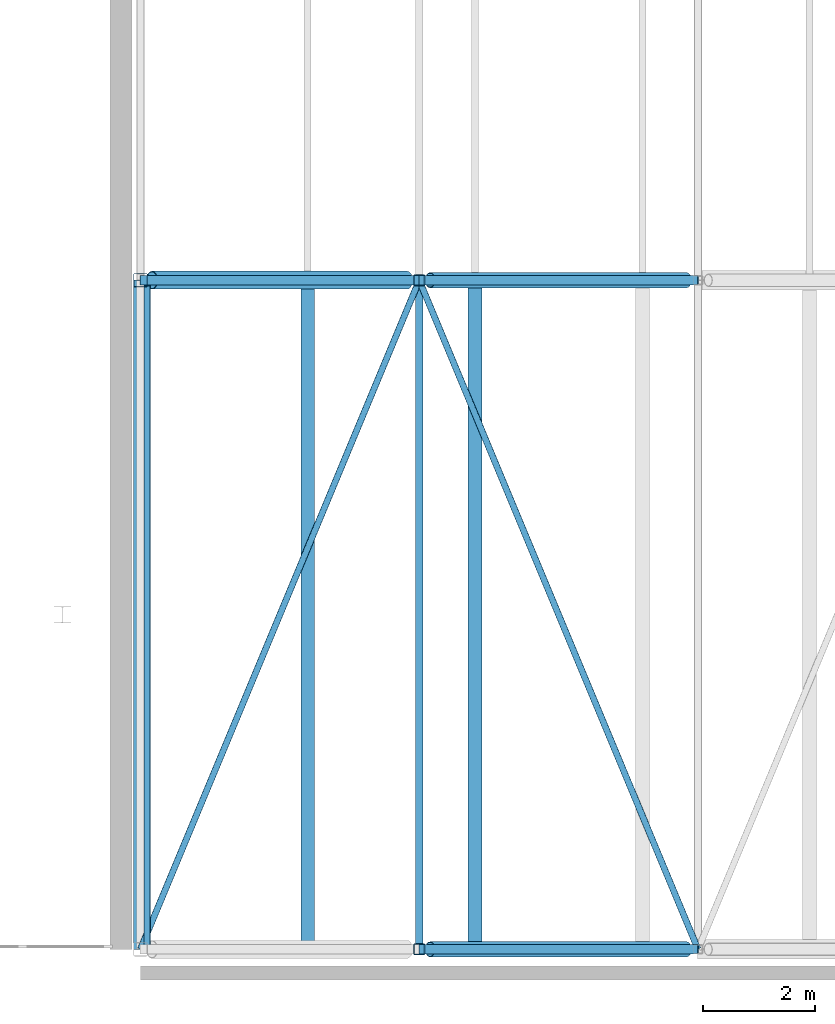
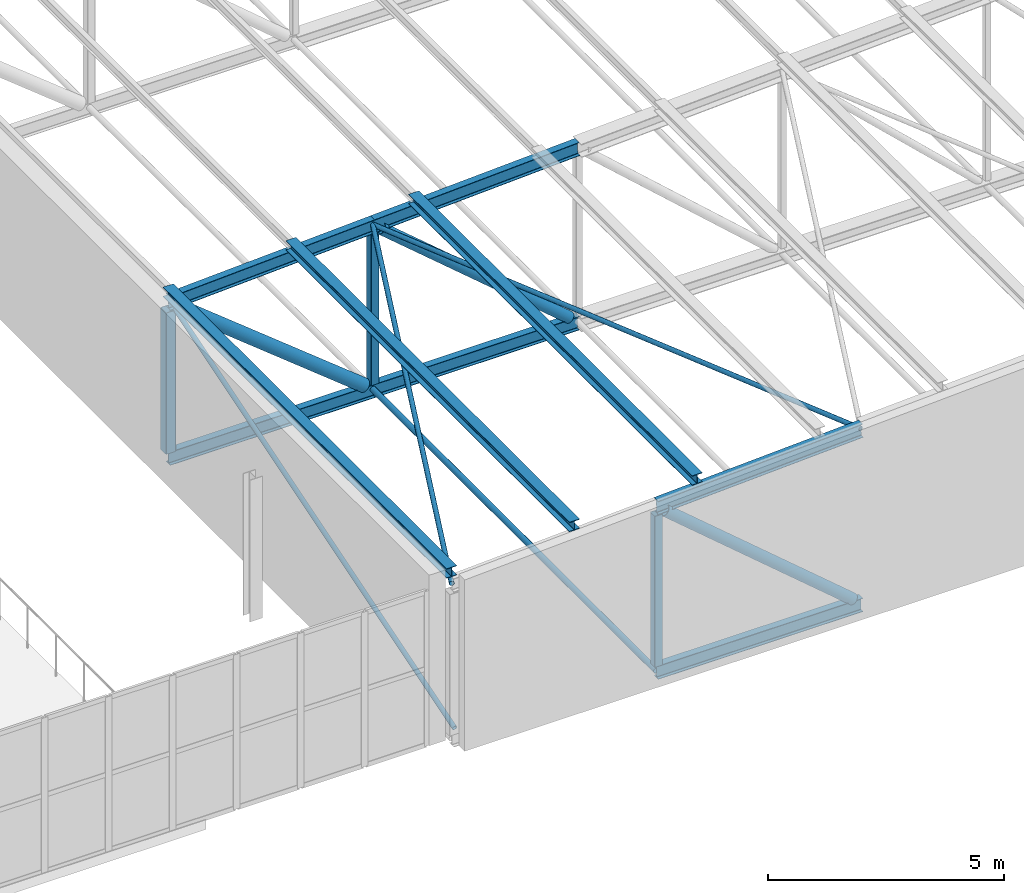
# One storey, part 10 of 156: 19 members.
"""IFC4 building model written with IfcOpenShell, lengths in metres."""

from ifc_helpers import new_model, si_unit, direction, frame, origin, origin_2d, place, context, subcontext, project, spatial, hollow_rectangle, hollow_circle, i_section, extrude, material, material_profile, profile_set, type_object, element, save


model = new_model("IFC4")

# Units and contexts
model_context = context("Model", 3, precision=1e-05, world=origin(), true_north=direction((0.0, 1.0)))
body_context = subcontext(model_context, "Body", "Model", "MODEL_VIEW")
ifc_project = project(units=[si_unit("LENGTHUNIT", "METRE"), si_unit("AREAUNIT", "SQUARE_METRE"), si_unit("VOLUMEUNIT", "CUBIC_METRE"), si_unit("PLANEANGLEUNIT", "RADIAN"), si_unit("MASSUNIT", "GRAM", prefix="KILO")], contexts=[model_context])

# Site, building, storey
site_placement = place(None, origin())
site = spatial("IfcSite", under=ifc_project, at=site_placement, CompositionType="ELEMENT")
building_placement = place(site_placement, origin())
building = spatial("IfcBuilding", under=site, at=building_placement, Name="Lilac Gate Convention Centre", CompositionType="ELEMENT")
storey_placement = place(building_placement, frame((0.0, 0.0, 17.0)))
storey = spatial("IfcBuildingStorey", under=building, at=storey_placement, Name="L03", CompositionType="ELEMENT", Elevation=17.0)

# Members
ifc_material = material(Name="Steel Q355B", Category="steel")
ifc_material_profile_1 = material_profile(ifc_material, hollow_circle(Radius=0.06982421875, WallThickness=0.0048828125, at=origin_2d()), Name="CHS139.7x5")
ifc_profile_set_1 = profile_set([ifc_material_profile_1], Name="Steel Q355B")
member_type_1 = type_object("IfcMemberType", Name="Bottom chord tie CHS139.7x5", PredefinedType="STRUT", material=ifc_profile_set_1)
member_1_placement = place(storey_placement, frame((35.0, 30.00341796875, 0.0), z_axis=(0.0, 1.0, 0.0), x_axis=(-1.0, 0.0, 0.0)))
element("IfcMember", 1, at=member_1_placement, inside=storey, type_object=member_type_1, Name="ST1 tie bay 1 node 2", PredefinedType="STRUT", context=body_context, shape_type="SweptSolid", body=[
    extrude(hollow_circle(Radius=0.06982421875, WallThickness=0.0048828125, at=origin_2d()), origin(), (0.0, 0.0, 1.0), 11.9931640625),
])
ifc_material_profile_2 = material_profile(ifc_material, hollow_circle(Radius=0.05712890625, WallThickness=0.0048828125, at=origin_2d()), Name="CHS114.3x5")
ifc_profile_set_2 = profile_set([ifc_material_profile_2], Name="Steel Q355B")
member_type_2 = type_object("IfcMemberType", Name="Roof plane bracing CHS114.3x5", PredefinedType="BRACE", material=ifc_profile_set_2)
for number, where, z_axis, x_axis, name in (
    (2, (30.00146484375, 30.00341796875, 4.0), (0.384538867181, 0.922908311091, 0.019238215751), (-0.923079146825, 0.384610047578, 0.0), "BR1 plan bracing bay 1 panel 1"),
    (3, (35.00146484375, 41.99658203125, 4.25), (0.384538867181, -0.922908311091, 0.019238215751), (0.923079146825, 0.384610047578, 0.0), "BR1 plan bracing bay 1 panel 2"),
):
    element("IfcMember", number, at=place(storey_placement, frame(where, z_axis=z_axis, x_axis=x_axis)), inside=storey, type_object=member_type_2, Name=name, PredefinedType="BRACE", context=body_context, shape_type="SweptSolid", body=[
        extrude(hollow_circle(Radius=0.05712890625, WallThickness=0.0048828125, at=origin_2d()), origin(), (0.0, 0.0, 1.0), 12.994873046875),
    ])
ifc_material_profile_3 = material_profile(ifc_material, i_section(OverallWidth=0.25, OverallDepth=0.25, WebThickness=0.009033203125, FlangeThickness=0.013916015625, FilletRadius=0.012939453125, at=origin_2d()), Name="HW250x250x9x14")
ifc_profile_set_3 = profile_set([ifc_material_profile_3], Name="Steel Q355B")
member_type_3 = type_object("IfcMemberType", Name="Roof purlin HW250x250x9x14", PredefinedType="PURLIN", material=ifc_profile_set_3)
for number, where, z_axis, x_axis, name in (
    (4, (30.0, 30.0, 4.30029296875), (0.0, 1.0, 0.0), (-1.0, 0.0, 0.0), "PU1 purlin bay 1 line 1"),
    (5, (33.0, 30.0, 4.4501953125), (0.0, 1.0, 0.0), (-1.0, 0.0, 0.0), "PU1 purlin bay 1 line 2"),
    (6, (36.0, 30.0, 4.60009765625), (0.0, 1.0, 0.0), (-1.0, 0.0, 0.0), "PU1 purlin bay 1 line 3"),
):
    element("IfcMember", number, at=place(storey_placement, frame(where, z_axis=z_axis, x_axis=x_axis)), inside=storey, type_object=member_type_3, Name=name, PredefinedType="PURLIN", context=body_context, shape_type="SweptSolid", body=[
        extrude(i_section(OverallWidth=0.25, OverallDepth=0.25, WebThickness=0.009033203125, FlangeThickness=0.013916015625, FilletRadius=0.012939453125, at=origin_2d()), origin(), (0.0, 0.0, 1.0), 12.0),
    ])
ifc_material_profile_4 = material_profile(ifc_material, i_section(OverallWidth=0.175048828125, OverallDepth=0.35009765625, WebThickness=0.007080078125, FlangeThickness=0.010986328125, FilletRadius=0.012939453125, at=origin_2d()), Name="HN350x175x7x11")
ifc_profile_set_4 = profile_set([ifc_material_profile_4], Name="Steel Q355B")
member_type_4 = type_object("IfcMemberType", Name="Truss bottom chord HN350x175x7x11", PredefinedType="CHORD", material=ifc_profile_set_4)
for number, where, z_axis, x_axis, name in (
    (7, (35.0, 30.0, 0.0), (1.0, 0.0, 0.0), (0.0, 1.0, 0.0), "TB1 truss 1 bottom chord 2"),
    (8, (30.0, 42.0, 0.0), (1.0, 0.0, 0.0), (0.0, 1.0, 0.0), "TB1 truss 2 bottom chord 1"),
    (9, (35.0, 42.0, 0.0), (1.0, 0.0, 0.0), (0.0, 1.0, 0.0), "TB1 truss 2 bottom chord 2"),
):
    element("IfcMember", number, at=place(storey_placement, frame(where, z_axis=z_axis, x_axis=x_axis)), inside=storey, type_object=member_type_4, Name=name, PredefinedType="CHORD", context=body_context, shape_type="SweptSolid", body=[
        extrude(i_section(OverallWidth=0.175048828125, OverallDepth=0.35009765625, WebThickness=0.007080078125, FlangeThickness=0.010986328125, FilletRadius=0.012939453125, at=origin_2d()), origin(), (0.0, 0.0, 1.0), 5.0),
    ])
ifc_material_profile_5 = material_profile(ifc_material, hollow_circle(Radius=0.136474609375, WallThickness=0.010009765625, at=origin_2d()), Name="CHS273x10")
ifc_profile_set_5 = profile_set([ifc_material_profile_5], Name="Steel Q355B")
member_type_5 = type_object("IfcMemberType", Name="Truss diagonal CHS273x10", PredefinedType="BRACE", material=ifc_profile_set_5)
for number, where, z_axis, x_axis, name in (
    (10, (35.193115234375, 30.0, 4.085693359375), (0.761961263863, 0.0, -0.647622600263), (0.0, 1.0, 0.0), "TW2 truss 1 diagonal 2"),
    (11, (35.193115234375, 42.0, 4.085693359375), (0.761961263863, 0.0, -0.647622600263), (0.0, 1.0, 0.0), "TW2 truss 2 diagonal 2"),
):
    element("IfcMember", number, at=place(storey_placement, frame(where, z_axis=z_axis, x_axis=x_axis)), inside=storey, type_object=member_type_5, Name=name, PredefinedType="BRACE", context=body_context, shape_type="SweptSolid", body=[
        extrude(hollow_circle(Radius=0.136474609375, WallThickness=0.010009765625, at=origin_2d()), origin(), (0.0, 0.0, 1.0), 6.03857421875),
    ])
ifc_material_profile_6 = material_profile(ifc_material, hollow_circle(Radius=0.161865234375, WallThickness=0.011962890625, at=origin_2d()), Name="CHS323.9x12")
ifc_profile_set_6 = profile_set([ifc_material_profile_6], Name="Steel Q355B")
member_type_6 = type_object("IfcMemberType", Name="Truss diagonal CHS323.9x12", PredefinedType="BRACE", material=ifc_profile_set_6)
member_2_placement = place(storey_placement, frame((30.205322265625, 42.0, 3.835693359375), z_axis=(0.780876938611, 0.0, -0.624684885959), x_axis=(0.0, 1.0, 0.0)))
element("IfcMember", 12, at=member_2_placement, inside=storey, type_object=member_type_6, Name="TW1 truss 2 diagonal 1", PredefinedType="BRACE", context=body_context, shape_type="SweptSolid", body=[
    extrude(hollow_circle(Radius=0.161865234375, WallThickness=0.011962890625, at=origin_2d()), origin(), (0.0, 0.0, 1.0), 5.860107421875),
])
ifc_material_profile_7 = material_profile(ifc_material, i_section(OverallWidth=0.175048828125, OverallDepth=0.35009765625, WebThickness=0.007080078125, FlangeThickness=0.010986328125, FilletRadius=0.012939453125, at=origin_2d()), Name="HN350x175x7x11")
ifc_profile_set_7 = profile_set([ifc_material_profile_7], Name="Steel Q355B")
member_type_7 = type_object("IfcMemberType", Name="Truss top chord HN350x175x7x11", PredefinedType="CHORD", material=ifc_profile_set_7)
for number, where, z_axis, x_axis, name in (
    (13, (35.0, 30.0, 4.25), (0.998752338878, 0.0, 0.049937616944), (0.0, 1.0, 0.0), "TT1 truss 1 top chord 2"),
    (14, (30.0, 42.0, 4.0), (0.998752338878, 0.0, 0.049937616944), (0.0, 1.0, 0.0), "TT1 truss 2 top chord 1"),
    (15, (35.0, 42.0, 4.25), (0.998752338878, 0.0, 0.049937616944), (0.0, 1.0, 0.0), "TT1 truss 2 top chord 2"),
):
    element("IfcMember", number, at=place(storey_placement, frame(where, z_axis=z_axis, x_axis=x_axis)), inside=storey, type_object=member_type_7, Name=name, PredefinedType="CHORD", context=body_context, shape_type="SweptSolid", body=[
        extrude(i_section(OverallWidth=0.175048828125, OverallDepth=0.35009765625, WebThickness=0.007080078125, FlangeThickness=0.010986328125, FilletRadius=0.012939453125, at=origin_2d()), origin(), (0.0, 0.0, 1.0), 5.00634765625),
    ])
ifc_material_profile_8 = material_profile(ifc_material, hollow_rectangle(XDim=0.199951171875, YDim=0.199951171875, WallThickness=0.008056640625, InnerFilletRadius=0.011962890625, OuterFilletRadius=0.02001953125, at=origin_2d()), Name="SHS200x200x8")
ifc_profile_set_8 = profile_set([ifc_material_profile_8], Name="Steel Q355B")
member_type_8 = type_object("IfcMemberType", Name="Truss vertical SHS200x200x8", PredefinedType="STRUT", material=ifc_profile_set_8)
for number, where, z_axis, x_axis, name in (
    (16, (35.0, 30.0, 0.175048828125), (0.0, 0.0, 1.0), (1.0, 0.0, 0.0), "TV2 truss 1 vertical 2"),
    (17, (35.0, 42.0, 0.175048828125), (0.0, 0.0, 1.0), (1.0, 0.0, 0.0), "TV2 truss 2 vertical 2"),
):
    element("IfcMember", number, at=place(storey_placement, frame(where, z_axis=z_axis, x_axis=x_axis)), inside=storey, type_object=member_type_8, Name=name, PredefinedType="STRUT", context=body_context, shape_type="SweptSolid", body=[
        extrude(hollow_rectangle(XDim=0.199951171875, YDim=0.199951171875, WallThickness=0.008056640625, InnerFilletRadius=0.011962890625, OuterFilletRadius=0.02001953125, at=origin_2d()), origin(), (0.0, 0.0, 1.0), 3.899658203125),
    ])
ifc_material_profile_9 = material_profile(ifc_material, hollow_rectangle(XDim=0.25, YDim=0.25, WallThickness=0.010009765625, InnerFilletRadius=0.014892578125, OuterFilletRadius=0.02490234375, at=origin_2d()), Name="SHS250x250x10")
ifc_profile_set_9 = profile_set([ifc_material_profile_9], Name="Steel Q355B")
member_type_9 = type_object("IfcMemberType", Name="Truss vertical SHS250x250x10", PredefinedType="STRUT", material=ifc_profile_set_9)
member_3_placement = place(storey_placement, frame((30.0, 42.0, 0.175048828125), z_axis=(0.0, 0.0, 1.0), x_axis=(1.0, 0.0, 0.0)))
element("IfcMember", 18, at=member_3_placement, inside=storey, type_object=member_type_9, Name="TV1 truss 2 vertical 1", PredefinedType="STRUT", context=body_context, shape_type="SweptSolid", body=[
    extrude(hollow_rectangle(XDim=0.25, YDim=0.25, WallThickness=0.010009765625, InnerFilletRadius=0.014892578125, OuterFilletRadius=0.02490234375, at=origin_2d()), origin(), (0.0, 0.0, 1.0), 3.649658203125),
])
ifc_material_profile_10 = material_profile(ifc_material, hollow_circle(Radius=0.05712890625, WallThickness=0.006103515625, at=origin_2d()), Name="CHS114.3x6")
ifc_profile_set_10 = profile_set([ifc_material_profile_10], Name="Steel Q355B")
member_type_10 = type_object("IfcMemberType", Name="Vertical bracing CHS114.3x6", PredefinedType="BRACE", material=ifc_profile_set_10)
member_4_placement = place(storey_placement, frame((30.1201171875, 30.08740234375, 0.175048828125), z_axis=(0.0, 0.955386652678, 0.295357992757), x_axis=(-1.0, 0.0, 0.0)))
element("IfcMember", 19, at=member_4_placement, inside=storey, type_object=member_type_10, Name="BR2 vertical bracing bay 1 line 1", PredefinedType="BRACE", context=body_context, shape_type="SweptSolid", body=[
    extrude(hollow_circle(Radius=0.05712890625, WallThickness=0.006103515625, at=origin_2d()), origin(), (0.0, 0.0, 1.0), 12.37744140625),
])

save(model, "model.ifc")
